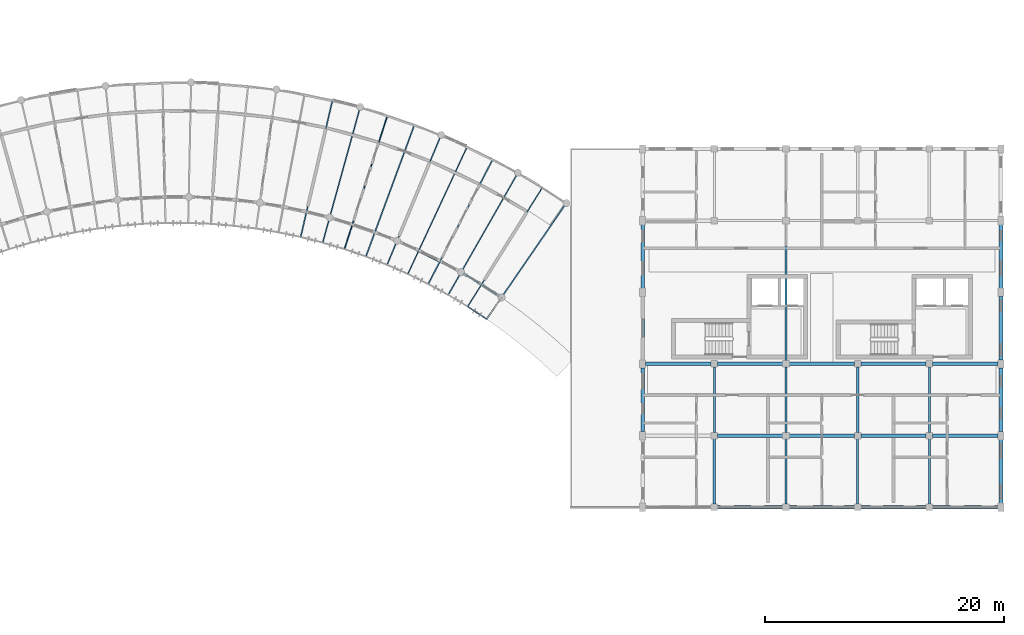
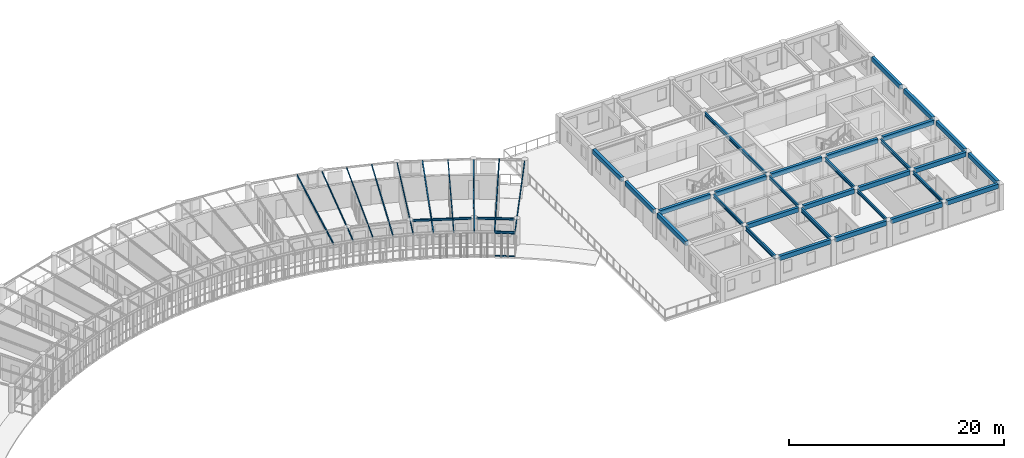
# One storey, part 39 of 101: 42 beams, 2 members.
"""IFC4 building model written with IfcOpenShell, lengths in metres."""

from ifc_helpers import new_model, si_unit, direction, frame, origin, origin_2d, place, context, subcontext, project, spatial, rectangle, hollow_rectangle, i_section, extrude, material, material_profile, profile_set, type_object, element, save


model = new_model("IFC4")

# Units and contexts
model_context = context("Model", 3, precision=1e-05, world=origin(), true_north=direction((0.0, 1.0)))
body_context = subcontext(model_context, "Body", "Model", "MODEL_VIEW")
ifc_project = project(units=[si_unit("LENGTHUNIT", "METRE"), si_unit("AREAUNIT", "SQUARE_METRE"), si_unit("VOLUMEUNIT", "CUBIC_METRE"), si_unit("PLANEANGLEUNIT", "RADIAN"), si_unit("MASSUNIT", "GRAM", prefix="KILO"), si_unit("POWERUNIT", "WATT"), si_unit("THERMODYNAMICTEMPERATUREUNIT", "KELVIN")], contexts=[model_context])

# Site, building, storey
site_placement = place(None, origin())
site = spatial("IfcSite", under=ifc_project, at=site_placement, CompositionType="ELEMENT")
building_placement = place(site_placement, origin())
building = spatial("IfcBuilding", under=site, at=building_placement, Name="Ruvembo Vaulted Housing Court", CompositionType="ELEMENT")
storey_placement = place(building_placement, frame((0.0, 0.0, 17.300048828125)))
storey = spatial("IfcBuildingStorey", under=building, at=storey_placement, Name="L05", CompositionType="ELEMENT", Elevation=17.300048828125)

# Beams
ifc_material_1 = material(Name="Steel S355J2", Category="steel")
ifc_material_profile_1 = material_profile(ifc_material_1, i_section(OverallWidth=0.08203125, OverallDepth=0.159912109375, WebThickness=0.0048828125, FlangeThickness=0.00732421875, FilletRadius=0.009033203125, at=origin_2d()), Name="IPE 160")
ifc_profile_set_1 = profile_set([ifc_material_profile_1], Name="Steel S355J2")
beam_type_1 = type_object("IfcBeamType", Name="BM-ST-IPE160", PredefinedType="JOIST", material=ifc_profile_set_1)
beam_1_placement = place(storey_placement, frame((134.5986328125, 104.68896484375, 2.85205078125), z_axis=(-0.306337017889, -0.951923122669, 0.0), x_axis=(0.951923122669, -0.306337017889, 0.0)))
element("IfcBeam", 1, at=beam_1_placement, inside=storey, type_object=beam_type_1, Name="Scoop SC3 L05 Radial Steel Joist 22", PredefinedType="JOIST", context=body_context, shape_type="SweptSolid", body=[
    extrude(i_section(OverallWidth=0.08203125, OverallDepth=0.159912109375, WebThickness=0.0048828125, FlangeThickness=0.00732421875, FilletRadius=0.009033203125, at=origin_2d()), origin(), (0.0, 0.0, 1.0), 11.690673828125),
])
beam_2_placement = place(storey_placement, frame((141.255126953125, 102.07958984375, 2.85205078125), z_axis=(-0.422190259357, -0.906507244816, 0.0), x_axis=(0.906507244816, -0.422190259357, 0.0)))
element("IfcBeam", 2, at=beam_2_placement, inside=storey, type_object=beam_type_1, Name="Scoop SC3 L05 Radial Steel Joist 25", PredefinedType="JOIST", context=body_context, shape_type="SweptSolid", body=[
    extrude(i_section(OverallWidth=0.08203125, OverallDepth=0.159912109375, WebThickness=0.0048828125, FlangeThickness=0.00732421875, FilletRadius=0.009033203125, at=origin_2d()), origin(), (0.0, 0.0, 1.0), 11.69091796875),
])
beam_3_placement = place(storey_placement, frame((147.5625, 98.70556640625, 2.85205078125), z_axis=(-0.531512135198, -0.847050677432, 0.0), x_axis=(0.847050677432, -0.531512135198, 0.0)))
element("IfcBeam", 3, at=beam_3_placement, inside=storey, type_object=beam_type_1, Name="Scoop SC3 L05 Radial Steel Joist 28", PredefinedType="JOIST", context=body_context, shape_type="SweptSolid", body=[
    extrude(i_section(OverallWidth=0.08203125, OverallDepth=0.159912109375, WebThickness=0.0048828125, FlangeThickness=0.00732421875, FilletRadius=0.009033203125, at=origin_2d()), origin(), (0.0, 0.0, 1.0), 11.740478515625),
])
ifc_material_profile_2 = material_profile(ifc_material_1, i_section(OverallWidth=0.091064453125, OverallDepth=0.179931640625, WebThickness=0.00537109375, FlangeThickness=0.008056640625, FilletRadius=0.009033203125, at=origin_2d()), Name="IPE 180")
ifc_profile_set_2 = profile_set([ifc_material_profile_2], Name="Steel S355J2")
beam_type_2 = type_object("IfcBeamType", Name="BM-ST-IPE180", PredefinedType="JOIST", material=ifc_profile_set_2)
beam_4_placement = place(storey_placement, frame((132.302978515625, 105.3330078125, 2.842041015625), z_axis=(-0.266557475959, -0.963819024512, 0.0), x_axis=(0.963819024512, -0.266557475959, 0.0)))
element("IfcBeam", 4, at=beam_4_placement, inside=storey, type_object=beam_type_2, Name="Scoop SC3 L05 Radial Steel Joist 21", PredefinedType="JOIST", context=body_context, shape_type="SweptSolid", body=[
    extrude(i_section(OverallWidth=0.091064453125, OverallDepth=0.179931640625, WebThickness=0.00537109375, FlangeThickness=0.008056640625, FilletRadius=0.009033203125, at=origin_2d()), origin(), (0.0, 0.0, 1.0), 11.650390625),
])
for number, where, z_axis, x_axis, name in (
    (5, (139.057373046875, 103.003662109375, 2.842041015625), (-0.384210608163, -0.923245475795, 0.0), (0.923245475795, -0.384210608163, 0.0), "Scoop SC3 L05 Radial Steel Joist 24"),
    (6, (145.47021484375, 99.853515625, 2.842041015625), (-0.495904212353, -0.868377229187, 0.0), (0.868377229187, -0.495904212353, 0.0), "Scoop SC3 L05 Radial Steel Joist 27"),
):
    element("IfcBeam", number, at=place(storey_placement, frame(where, z_axis=z_axis, x_axis=x_axis)), inside=storey, type_object=beam_type_2, Name=name, PredefinedType="JOIST", context=body_context, shape_type="SweptSolid", body=[
        extrude(i_section(OverallWidth=0.091064453125, OverallDepth=0.179931640625, WebThickness=0.00537109375, FlangeThickness=0.008056640625, FilletRadius=0.009033203125, at=origin_2d()), origin(), (0.0, 0.0, 1.0), 11.650146484375),
    ])
ifc_material_profile_3 = material_profile(ifc_material_1, i_section(OverallWidth=0.10009765625, OverallDepth=0.199951171875, WebThickness=0.005615234375, FlangeThickness=0.008544921875, FilletRadius=0.011962890625, at=origin_2d()), Name="IPE 200")
ifc_profile_set_3 = profile_set([ifc_material_profile_3], Name="Steel S355J2")
beam_type_3 = type_object("IfcBeamType", Name="BM-ST-IPE200", PredefinedType="BEAM", material=ifc_profile_set_3)
for number, where, z_axis, x_axis, name in (
    (7, (130.002685546875, 105.9599609375, 2.83203125), (-0.226331039465, -0.974050440467, 0.0), (0.974050440467, -0.226331039465, 0.0), "Scoop SC3 L05 Radial Steel Joist 20"),
    (8, (136.852783203125, 103.91162109375, 2.83203125), (-0.345551481909, -0.938399793985, 0.0), (0.938399793985, -0.345551481909, 0.0), "Scoop SC3 L05 Radial Steel Joist 23"),
):
    element("IfcBeam", number, at=place(storey_placement, frame(where, z_axis=z_axis, x_axis=x_axis)), inside=storey, type_object=beam_type_3, Name=name, PredefinedType="BEAM", context=body_context, shape_type="SweptSolid", body=[
        extrude(i_section(OverallWidth=0.10009765625, OverallDepth=0.199951171875, WebThickness=0.005615234375, FlangeThickness=0.008544921875, FilletRadius=0.011962890625, at=origin_2d()), origin(), (0.0, 0.0, 1.0), 11.69091796875),
    ])
beam_5_placement = place(storey_placement, frame((143.3955078125, 101.028076171875, 2.83203125), z_axis=(-0.459450756353, -0.888203243907, 0.0), x_axis=(0.888203243907, -0.459450756353, 0.0)))
element("IfcBeam", 9, at=beam_5_placement, inside=storey, type_object=beam_type_3, Name="Scoop SC3 L05 Radial Steel Joist 26", PredefinedType="BEAM", context=body_context, shape_type="SweptSolid", body=[
    extrude(i_section(OverallWidth=0.10009765625, OverallDepth=0.199951171875, WebThickness=0.005615234375, FlangeThickness=0.008544921875, FilletRadius=0.011962890625, at=origin_2d()), origin(), (0.0, 0.0, 1.0), 11.690673828125),
])
beam_6_placement = place(storey_placement, frame((149.506103515625, 97.32080078125, 2.83203125), z_axis=(-0.566195255681, -0.824271152258, 0.0), x_axis=(0.824271152258, -0.566195255681, 0.0)))
element("IfcBeam", 10, at=beam_6_placement, inside=storey, type_object=beam_type_3, Name="Scoop SC3 L05 Radial Steel Joist 29", PredefinedType="BEAM", context=body_context, shape_type="SweptSolid", body=[
    extrude(i_section(OverallWidth=0.10009765625, OverallDepth=0.199951171875, WebThickness=0.005615234375, FlangeThickness=0.008544921875, FilletRadius=0.011962890625, at=origin_2d()), origin(), (0.0, 0.0, 1.0), 11.650146484375),
])
ifc_material_profile_4 = material_profile(ifc_material_1, i_section(OverallWidth=0.1201171875, OverallDepth=0.239990234375, WebThickness=0.006103515625, FlangeThickness=0.009765625, FilletRadius=0.014892578125, at=origin_2d()), Name="IPE 240")
ifc_profile_set_4 = profile_set([ifc_material_profile_4], Name="Steel S355J2")
beam_type_4 = type_object("IfcBeamType", Name="BM-ST-IPE240", PredefinedType="BEAM", material=ifc_profile_set_4)
beam_7_placement = place(storey_placement, frame((135.612548828125, 94.23193359375, 2.81396484375), z_axis=(0.897564932288, -0.440882288516, 0.0), x_axis=(0.440882288516, 0.897564932288, 0.0)))
element("IfcBeam", 11, at=beam_7_placement, inside=storey, type_object=beam_type_4, Name="Scoop SC3 L05 Chord Girder F24", PredefinedType="BEAM", context=body_context, shape_type="SweptSolid", body=[
    extrude(i_section(OverallWidth=0.1201171875, OverallDepth=0.239990234375, WebThickness=0.006103515625, FlangeThickness=0.009765625, FilletRadius=0.014892578125, at=origin_2d()), origin(), (0.0, 0.0, 1.0), 5.593505859375),
])
beam_8_placement = place(storey_placement, frame((140.964599609375, 91.5810546875, 2.81396484375), z_axis=(0.847053130273, -0.531508226178, 0.0), x_axis=(0.531508226178, 0.847053130273, 0.0)))
element("IfcBeam", 12, at=beam_8_placement, inside=storey, type_object=beam_type_4, Name="Scoop SC3 L05 Chord Girder F27", PredefinedType="BEAM", context=body_context, shape_type="SweptSolid", body=[
    extrude(i_section(OverallWidth=0.1201171875, OverallDepth=0.239990234375, WebThickness=0.006103515625, FlangeThickness=0.009765625, FilletRadius=0.014892578125, at=origin_2d()), origin(), (0.0, 0.0, 1.0), 3.60400390625),
])
ifc_material_profile_5 = material_profile(ifc_material_1, i_section(OverallWidth=0.169921875, OverallDepth=0.360107421875, WebThickness=0.008056640625, FlangeThickness=0.0126953125, FilletRadius=0.01806640625, at=origin_2d()), Name="IPE 360")
ifc_profile_set_5 = profile_set([ifc_material_profile_5], Name="Steel S355J2")
beam_type_5 = type_object("IfcBeamType", Name="BM-ST-IPE360", PredefinedType="BEAM", material=ifc_profile_set_5)
for number, where, z_axis, x_axis, name in (
    (13, (162.0, 78.260009765625, 2.745849609375), (0.0, 1.0, 0.0), (-1.0, 0.0, 0.0), "L05 Grid Beam Y #2532"),
    (14, (168.0, 78.260009765625, 2.745849609375), (0.0, 1.0, 0.0), (-1.0, 0.0, 0.0), "L05 Grid Beam Y #2535"),
    (15, (174.0, 72.260009765625, 2.745849609375), (0.0, 1.0, 0.0), (-1.0, 0.0, 0.0), "L05 Grid Beam Y #2538"),
    (16, (180.0, 72.260009765625, 2.745849609375), (0.0, 1.0, 0.0), (-1.0, 0.0, 0.0), "L05 Grid Beam Y #2541"),
):
    element("IfcBeam", number, at=place(storey_placement, frame(where, z_axis=z_axis, x_axis=x_axis)), inside=storey, type_object=beam_type_5, Name=name, PredefinedType="BEAM", context=body_context, shape_type="SweptSolid", body=[
        extrude(i_section(OverallWidth=0.169921875, OverallDepth=0.360107421875, WebThickness=0.008056640625, FlangeThickness=0.0126953125, FilletRadius=0.01806640625, at=origin_2d()), origin(), (0.0, 0.0, 1.0), 5.47998046875),
    ])
ifc_material_profile_6 = material_profile(ifc_material_1, i_section(OverallWidth=0.179931640625, OverallDepth=0.39990234375, WebThickness=0.008544921875, FlangeThickness=0.013427734375, FilletRadius=0.02099609375, at=origin_2d()), Name="IPE 400")
ifc_profile_set_6 = profile_set([ifc_material_profile_6], Name="Steel S355J2")
beam_type_6 = type_object("IfcBeamType", Name="BM-ST-IPE400", PredefinedType="BEAM", material=ifc_profile_set_6)
beam_9_placement = place(storey_placement, frame((168.0, 84.260009765625, 2.725830078125), z_axis=(0.0, 1.0, 0.0), x_axis=(-1.0, 0.0, 0.0)))
element("IfcBeam", 17, at=beam_9_placement, inside=storey, type_object=beam_type_6, Name="L05 Grid Beam Y #2536", PredefinedType="BEAM", context=body_context, shape_type="SweptSolid", body=[
    extrude(i_section(OverallWidth=0.179931640625, OverallDepth=0.39990234375, WebThickness=0.008544921875, FlangeThickness=0.013427734375, FilletRadius=0.02099609375, at=origin_2d()), origin(), (0.0, 0.0, 1.0), 11.47998046875),
])
for number, where, z_axis, x_axis, name in (
    (18, (174.0, 78.260009765625, 2.725830078125), (0.0, 1.0, 0.0), (-1.0, 0.0, 0.0), "L05 Grid Beam Y #2539"),
    (19, (180.0, 78.260009765625, 2.725830078125), (0.0, 1.0, 0.0), (-1.0, 0.0, 0.0), "L05 Grid Beam Y #2542"),
):
    element("IfcBeam", number, at=place(storey_placement, frame(where, z_axis=z_axis, x_axis=x_axis)), inside=storey, type_object=beam_type_6, Name=name, PredefinedType="BEAM", context=body_context, shape_type="SweptSolid", body=[
        extrude(i_section(OverallWidth=0.179931640625, OverallDepth=0.39990234375, WebThickness=0.008544921875, FlangeThickness=0.013427734375, FilletRadius=0.02099609375, at=origin_2d()), origin(), (0.0, 0.0, 1.0), 5.47998046875),
    ])
ifc_material_profile_7 = material_profile(ifc_material_1, i_section(OverallWidth=0.18994140625, OverallDepth=0.449951171875, WebThickness=0.009521484375, FlangeThickness=0.0146484375, FilletRadius=0.02099609375, at=origin_2d()), Name="IPE 450")
ifc_profile_set_7 = profile_set([ifc_material_profile_7], Name="Steel S355J2")
beam_type_7 = type_object("IfcBeamType", Name="BM-ST-IPE450", PredefinedType="BEAM", material=ifc_profile_set_7)
for number, where, z_axis, x_axis, name in (
    (20, (162.0, 72.260009765625, 2.700927734375), (0.0, 1.0, 0.0), (-1.0, 0.0, 0.0), "L05 Grid Beam Y #2531"),
    (21, (168.0, 72.260009765625, 2.700927734375), (0.0, 1.0, 0.0), (-1.0, 0.0, 0.0), "L05 Grid Beam Y #2534"),
):
    element("IfcBeam", number, at=place(storey_placement, frame(where, z_axis=z_axis, x_axis=x_axis)), inside=storey, type_object=beam_type_7, Name=name, PredefinedType="BEAM", context=body_context, shape_type="SweptSolid", body=[
        extrude(i_section(OverallWidth=0.18994140625, OverallDepth=0.449951171875, WebThickness=0.009521484375, FlangeThickness=0.0146484375, FilletRadius=0.02099609375, at=origin_2d()), origin(), (0.0, 0.0, 1.0), 5.47998046875),
    ])
ifc_material_profile_8 = material_profile(ifc_material_1, hollow_rectangle(XDim=0.10009765625, YDim=0.199951171875, WallThickness=0.008056640625, InnerFilletRadius=0.008056640625, OuterFilletRadius=0.01611328125, at=origin_2d()), Name="RHS 200x100x8")
ifc_profile_set_8 = profile_set([ifc_material_profile_8], Name="Steel S355J2")
beam_type_8 = type_object("IfcBeamType", Name="BM-ST-RHS200", PredefinedType="SPANDREL", material=ifc_profile_set_8)
beam_10_placement = place(storey_placement, frame((141.343505859375, 88.794677734375, 2.83203125), z_axis=(0.835902452778, -0.548878027834, 0.0), x_axis=(0.548878027834, 0.835902452778, 0.0)))
element("IfcBeam", 22, at=beam_10_placement, inside=storey, type_object=beam_type_8, Name="Scoop SC3 L05 Balcony Edge Spandrel 28", PredefinedType="SPANDREL", context=body_context, shape_type="SweptSolid", body=[
    extrude(hollow_rectangle(XDim=0.10009765625, YDim=0.199951171875, WallThickness=0.008056640625, InnerFilletRadius=0.008056640625, OuterFilletRadius=0.01611328125, at=origin_2d()), origin(), (0.0, 0.0, 1.0), 1.901123046875),
])

# Members
ifc_material_profile_9 = material_profile(ifc_material_1, hollow_rectangle(XDim=0.06005859375, YDim=0.1201171875, WallThickness=0.0048828125, InnerFilletRadius=0.0048828125, OuterFilletRadius=0.010009765625, at=origin_2d()), Name="RHS 120x60x5")
ifc_profile_set_9 = profile_set([ifc_material_profile_9], Name="Steel S355J2")
member_type_1 = type_object("IfcMemberType", Name="MEM-CAR-RHS120", PredefinedType="CHORD", material=ifc_profile_set_9)
member_1_placement = place(storey_placement, frame((141.343505859375, 88.794677734375, 2.675048828125), z_axis=(0.835902452778, -0.548878027834, 0.0), x_axis=(0.548878027834, 0.835902452778, 0.0)))
element("IfcMember", 23, at=member_1_placement, inside=storey, type_object=member_type_1, Name="Scoop SC3 L05 Upper Louvre Carrier Rail 28", PredefinedType="CHORD", context=body_context, shape_type="SweptSolid", body=[
    extrude(hollow_rectangle(XDim=0.06005859375, YDim=0.1201171875, WallThickness=0.0048828125, InnerFilletRadius=0.0048828125, OuterFilletRadius=0.010009765625, at=origin_2d()), origin(), (0.0, 0.0, 1.0), 1.901123046875),
])
ifc_material_profile_10 = material_profile(ifc_material_1, hollow_rectangle(XDim=0.080078125, YDim=0.14990234375, WallThickness=0.00634765625, InnerFilletRadius=0.00634765625, OuterFilletRadius=0.0126953125, at=origin_2d()), Name="RHS 150x80x6.3")
ifc_profile_set_10 = profile_set([ifc_material_profile_10], Name="Steel S355J2")
member_type_2 = type_object("IfcMemberType", Name="MEM-CAR-RHS150", PredefinedType="CHORD", material=ifc_profile_set_10)
member_2_placement = place(storey_placement, frame((141.343505859375, 88.794677734375, 0.094970703125), z_axis=(0.835902452778, -0.548878027834, 0.0), x_axis=(0.548878027834, 0.835902452778, 0.0)))
element("IfcMember", 24, at=member_2_placement, inside=storey, type_object=member_type_2, Name="Scoop SC3 L05 Lower Louvre Carrier Rail 28", PredefinedType="CHORD", context=body_context, shape_type="SweptSolid", body=[
    extrude(hollow_rectangle(XDim=0.080078125, YDim=0.14990234375, WallThickness=0.00634765625, InnerFilletRadius=0.00634765625, OuterFilletRadius=0.0126953125, at=origin_2d()), origin(), (0.0, 0.0, 1.0), 1.901123046875),
])

# Beams
ifc_material_2 = material(Name="Concrete C35/45", Category="concrete")
ifc_material_profile_11 = material_profile(ifc_material_2, rectangle(XDim=0.300048828125, YDim=0.5, at=origin_2d()), Name="RC 300x500")
ifc_profile_set_11 = profile_set([ifc_material_profile_11], Name="Concrete C35/45")
beam_type_9 = type_object("IfcBeamType", Name="SP-RC-300x500", PredefinedType="SPANDREL", material=ifc_profile_set_11)
for number, where, z_axis, x_axis, name in (
    (25, (162.260009765625, 72.0, 2.71484375), (1.0, 0.0, 0.0), (0.0, 1.0, 0.0), "L05 Grid Beam X #2360"),
    (26, (168.260009765625, 72.0, 2.71484375), (1.0, 0.0, 0.0), (0.0, 1.0, 0.0), "L05 Grid Beam X #2361"),
    (27, (174.260009765625, 72.0, 2.71484375), (1.0, 0.0, 0.0), (0.0, 1.0, 0.0), "L05 Grid Beam X #2362"),
):
    element("IfcBeam", number, at=place(storey_placement, frame(where, z_axis=z_axis, x_axis=x_axis)), inside=storey, type_object=beam_type_9, Name=name, PredefinedType="SPANDREL", context=body_context, shape_type="SweptSolid", body=[
        extrude(rectangle(XDim=0.300048828125, YDim=0.5, at=origin_2d()), origin(), (0.0, 0.0, 1.0), 5.47998046875),
    ])
beam_11_placement = place(storey_placement, frame((180.260009765625, 72.0, 2.71484375), z_axis=(1.0, 0.0, 0.0), x_axis=(0.0, 1.0, 0.0)))
element("IfcBeam", 28, at=beam_11_placement, inside=storey, type_object=beam_type_9, Name="L05 Grid Beam X #2363", PredefinedType="SPANDREL", context=body_context, shape_type="SweptSolid", body=[
    extrude(rectangle(XDim=0.300048828125, YDim=0.5, at=origin_2d()), origin(), (0.0, 0.0, 1.0), 5.5048828125),
])
for number, where, z_axis, x_axis, name in (
    (29, (162.260009765625, 78.0, 2.71484375), (1.0, 0.0, 0.0), (0.0, 1.0, 0.0), "L05 Grid Beam X #2371"),
    (30, (168.260009765625, 78.0, 2.71484375), (1.0, 0.0, 0.0), (0.0, 1.0, 0.0), "L05 Grid Beam X #2372"),
    (31, (174.260009765625, 78.0, 2.71484375), (1.0, 0.0, 0.0), (0.0, 1.0, 0.0), "L05 Grid Beam X #2373"),
):
    element("IfcBeam", number, at=place(storey_placement, frame(where, z_axis=z_axis, x_axis=x_axis)), inside=storey, type_object=beam_type_9, Name=name, PredefinedType="SPANDREL", context=body_context, shape_type="SweptSolid", body=[
        extrude(rectangle(XDim=0.300048828125, YDim=0.5, at=origin_2d()), origin(), (0.0, 0.0, 1.0), 5.47998046875),
    ])
for number, where, z_axis, x_axis, name in (
    (32, (180.260009765625, 78.0, 2.71484375), (1.0, 0.0, 0.0), (0.0, 1.0, 0.0), "L05 Grid Beam X #2374"),
    (33, (156.235107421875, 84.0, 2.71484375), (1.0, 0.0, 0.0), (0.0, 1.0, 0.0), "L05 Grid Beam X #2381"),
):
    element("IfcBeam", number, at=place(storey_placement, frame(where, z_axis=z_axis, x_axis=x_axis)), inside=storey, type_object=beam_type_9, Name=name, PredefinedType="SPANDREL", context=body_context, shape_type="SweptSolid", body=[
        extrude(rectangle(XDim=0.300048828125, YDim=0.5, at=origin_2d()), origin(), (0.0, 0.0, 1.0), 5.5048828125),
    ])
for number, where, z_axis, x_axis, name in (
    (34, (162.260009765625, 84.0, 2.71484375), (1.0, 0.0, 0.0), (0.0, 1.0, 0.0), "L05 Grid Beam X #2382"),
    (35, (168.260009765625, 84.0, 2.71484375), (1.0, 0.0, 0.0), (0.0, 1.0, 0.0), "L05 Grid Beam X #2383"),
    (36, (174.260009765625, 84.0, 2.71484375), (1.0, 0.0, 0.0), (0.0, 1.0, 0.0), "L05 Grid Beam X #2384"),
):
    element("IfcBeam", number, at=place(storey_placement, frame(where, z_axis=z_axis, x_axis=x_axis)), inside=storey, type_object=beam_type_9, Name=name, PredefinedType="SPANDREL", context=body_context, shape_type="SweptSolid", body=[
        extrude(rectangle(XDim=0.300048828125, YDim=0.5, at=origin_2d()), origin(), (0.0, 0.0, 1.0), 5.47998046875),
    ])
beam_12_placement = place(storey_placement, frame((180.260009765625, 84.0, 2.71484375), z_axis=(1.0, 0.0, 0.0), x_axis=(0.0, 1.0, 0.0)))
element("IfcBeam", 37, at=beam_12_placement, inside=storey, type_object=beam_type_9, Name="L05 Grid Beam X #2385", PredefinedType="SPANDREL", context=body_context, shape_type="SweptSolid", body=[
    extrude(rectangle(XDim=0.300048828125, YDim=0.5, at=origin_2d()), origin(), (0.0, 0.0, 1.0), 5.5048828125),
])
for number, where, z_axis, x_axis, name in (
    (38, (156.0, 78.3349609375, 2.71484375), (0.0, 1.0, 0.0), (-1.0, 0.0, 0.0), "L05 Grid Beam Y #2527"),
    (39, (156.0, 84.3349609375, 2.71484375), (0.0, 1.0, 0.0), (-1.0, 0.0, 0.0), "L05 Grid Beam Y #2528"),
    (40, (156.0, 90.3349609375, 2.71484375), (0.0, 1.0, 0.0), (-1.0, 0.0, 0.0), "L05 Grid Beam Y #2529"),
    (41, (186.0, 72.3349609375, 2.71484375), (0.0, 1.0, 0.0), (-1.0, 0.0, 0.0), "L05 Grid Beam Y #2544"),
    (42, (186.0, 78.3349609375, 2.71484375), (0.0, 1.0, 0.0), (-1.0, 0.0, 0.0), "L05 Grid Beam Y #2545"),
    (43, (186.0, 84.3349609375, 2.71484375), (0.0, 1.0, 0.0), (-1.0, 0.0, 0.0), "L05 Grid Beam Y #2546"),
    (44, (186.0, 90.3349609375, 2.71484375), (0.0, 1.0, 0.0), (-1.0, 0.0, 0.0), "L05 Grid Beam Y #2547"),
):
    element("IfcBeam", number, at=place(storey_placement, frame(where, z_axis=z_axis, x_axis=x_axis)), inside=storey, type_object=beam_type_9, Name=name, PredefinedType="SPANDREL", context=body_context, shape_type="SweptSolid", body=[
        extrude(rectangle(XDim=0.300048828125, YDim=0.5, at=origin_2d()), origin(), (0.0, 0.0, 1.0), 5.330078125),
    ])

save(model, "model.ifc")
